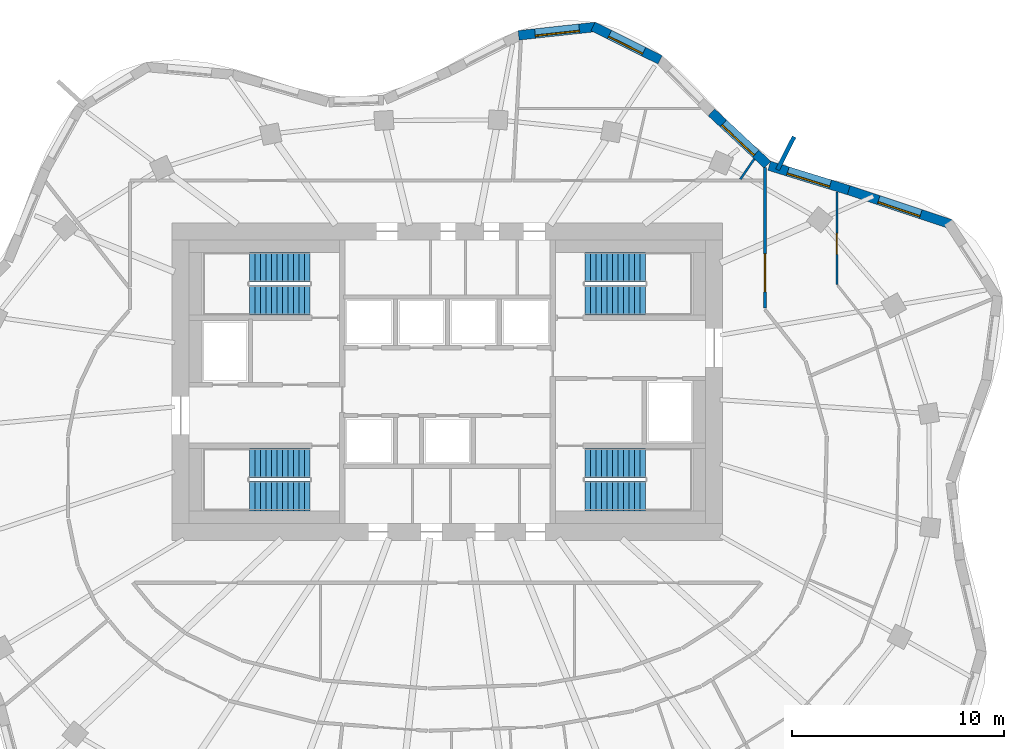
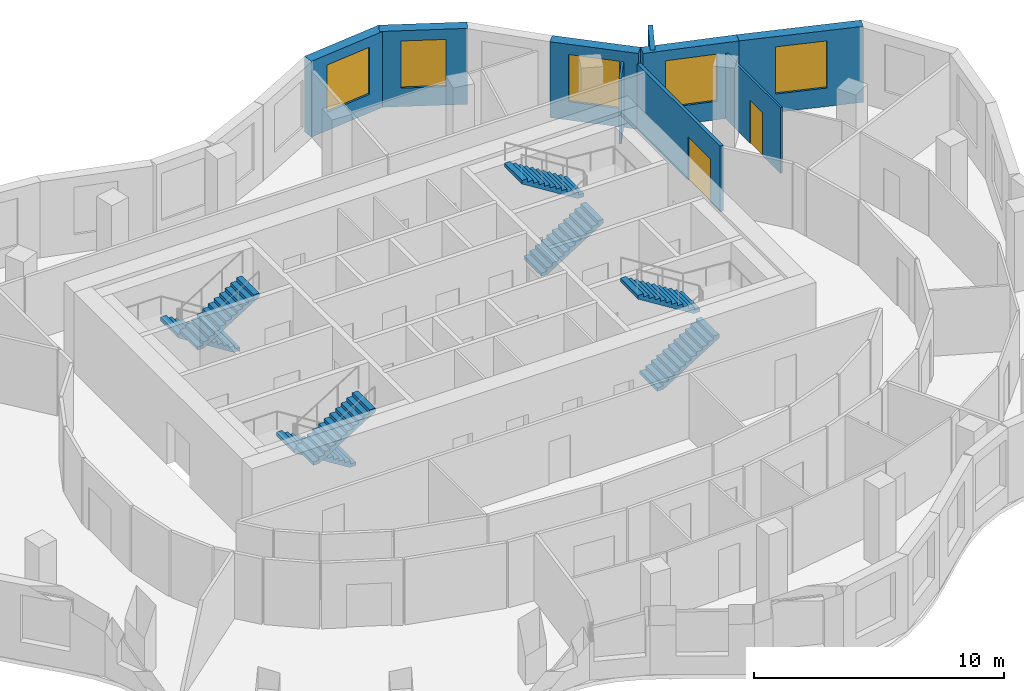
# One storey, part 8 of 9: 9 walls, 8 stair flights, 5 windows, 2 doors, 7 openings, 4 elements without a shape of their own.
"""IFC4 building model written with IfcOpenShell, lengths in metres."""

from ifc_helpers import new_model, si_unit, direction, frame, frame_2d, origin, place, context, subcontext, project, spatial, polyline, rectangle, outline, extrude, material, layer, layer_set, type_object, element, fill, aggregate, save


model = new_model("IFC4")

# Units and contexts
model_context = context("Model", 3, precision=1e-05, world=origin(), true_north=direction((0.0, 1.0)))
body_context = subcontext(model_context, "Body", "Model", "MODEL_VIEW")
ifc_project = project(units=[si_unit("LENGTHUNIT", "METRE"), si_unit("AREAUNIT", "SQUARE_METRE"), si_unit("VOLUMEUNIT", "CUBIC_METRE"), si_unit("PLANEANGLEUNIT", "RADIAN"), si_unit("MASSUNIT", "GRAM", prefix="KILO")], contexts=[model_context])

# Site, building, storey
site_placement = place(None, origin())
site = spatial("IfcSite", under=ifc_project, at=site_placement, CompositionType="ELEMENT")
building_placement = place(site_placement, origin())
building = spatial("IfcBuilding", under=site, at=building_placement, Name="Rubra Terraces Tower", CompositionType="ELEMENT")
storey_placement = place(building_placement, frame((0.0, 0.0, 288.300048828125)))
storey = spatial("IfcBuildingStorey", under=building, at=storey_placement, Name="L71", CompositionType="ELEMENT", Elevation=288.300048828125)

# Wall, opening, window
ifc_material_1 = material(Name="Brick masonry red-brown", Category="masonry")
ifc_layer_1 = layer(ifc_material_1, 0.449951171875)
ifc_layer_set_1 = layer_set([ifc_layer_1], Name="Brick masonry red-brown")
wall_type_1 = type_object("IfcWallType", Name="Brick facade wall 450", PredefinedType="SOLIDWALL", material=ifc_layer_set_1)
wall_1_placement = place(storey_placement, frame((23.769775390625, 11.93798828125, 0.0), z_axis=(0.0, 0.0, 1.0), x_axis=(-0.948673679101, 0.316256621402, 0.0)))
wall_1 = element("IfcWall", 1, at=wall_1_placement, inside=storey, type_object=wall_type_1, Name="Facade wall L71 bay 4", PredefinedType="SOLIDWALL", context=body_context, shape_type="SweptSolid", body=[
    extrude(rectangle(XDim=5.076416015625, YDim=0.449951171875, at=frame_2d((2.5380859375, 0.0))), origin(), (0.0, 0.0, 1.0), 3.699951171875),
])
opening_1_placement = place(wall_1_placement, frame((1.48828125, 0.0, 0.89990234375)))
opening_1 = element("IfcOpeningElement", 2, at=opening_1_placement, cuts=wall_1, Name="Opening W1B", PredefinedType="OPENING", context=body_context, shape_type="SweptSolid", body=[
    extrude(rectangle(XDim=2.10009765625, YDim=2.300048828125, at=frame_2d((1.050048828125, 1.14990234375))), frame((0.0, 0.23486328125, 0.0), z_axis=(0.0, -1.0, 0.0), x_axis=(1.0, 0.0, 0.0)), (0.0, 0.0, 1.0), 0.469970703125),
])
ifc_material_2 = material(Name="Clear glass in aluminium frame", Category="aluminium")
window_type_1 = type_object("IfcWindowType", Name="Fixed deep-set window tall storey 2100 x 2300", PartitioningType="SINGLE_PANEL", PredefinedType="WINDOW", material=ifc_material_2)
window_1_placement = place(opening_1_placement, origin())
window_1 = element("IfcWindow", 3, at=window_1_placement, inside=storey, type_object=window_type_1, Name="Window L71 bay 4", OverallHeight=2.300048828125, OverallWidth=2.10009765625, PartitioningType="SINGLE_PANEL", PredefinedType="WINDOW", context=body_context, shape_type="SweptSolid", body=[
    extrude(rectangle(XDim=2.10009765625, YDim=2.300048828125, at=frame_2d((1.050048828125, 1.14990234375))), frame((0.0, 0.135009765625, 0.0), z_axis=(0.0, -1.0, 0.0), x_axis=(1.0, 0.0, 0.0)), (0.0, 0.0, 1.0), 0.06005859375),
])
fill(opening_1, window_1)

wall_2_placement = place(storey_placement, frame((18.95751953125, 13.542236328125, 0.0), z_axis=(0.0, 0.0, 1.0), x_axis=(-0.955792437529, 0.294042201668, 0.0)))
wall_2 = element("IfcWall", 4, at=wall_2_placement, inside=storey, type_object=wall_type_1, Name="Facade wall L71 bay 5", PredefinedType="SOLIDWALL", context=body_context, shape_type="SweptSolid", body=[
    extrude(rectangle(XDim=3.9306640625, YDim=0.449951171875, at=frame_2d((1.96533203125, 0.0))), origin(), (0.0, 0.0, 1.0), 3.699951171875),
])
opening_2_placement = place(wall_2_placement, frame((0.915283203125, 0.0, 0.89990234375)))
opening_2 = element("IfcOpeningElement", 5, at=opening_2_placement, cuts=wall_2, Name="Opening W1B", PredefinedType="OPENING", context=body_context, shape_type="SweptSolid", body=[
    extrude(rectangle(XDim=2.10009765625, YDim=2.300048828125, at=frame_2d((1.050048828125, 1.14990234375))), frame((0.0, 0.23486328125, 0.0), z_axis=(0.0, -1.0, 0.0), x_axis=(1.0, 0.0, 0.0)), (0.0, 0.0, 1.0), 0.469970703125),
])
window_2_placement = place(opening_2_placement, origin())
window_2 = element("IfcWindow", 6, at=window_2_placement, inside=storey, type_object=window_type_1, Name="Window L71 bay 5", OverallHeight=2.300048828125, OverallWidth=2.10009765625, PartitioningType="SINGLE_PANEL", PredefinedType="WINDOW", context=body_context, shape_type="SweptSolid", body=[
    extrude(rectangle(XDim=2.10009765625, YDim=2.300048828125, at=frame_2d((1.050048828125, 1.14990234375))), frame((0.0, 0.135009765625, 0.0), z_axis=(0.0, -1.0, 0.0), x_axis=(1.0, 0.0, 0.0)), (0.0, 0.0, 1.0), 0.06005859375),
])
fill(opening_2, window_2)

wall_3_placement = place(storey_placement, frame((15.120849609375, 14.744873046875, 0.0), z_axis=(0.0, 0.0, 1.0), x_axis=(-0.730618259172, 0.68278617397, 0.0)))
wall_3 = element("IfcWall", 7, at=wall_3_placement, inside=storey, type_object=wall_type_1, Name="Facade wall L71 bay 6", PredefinedType="SOLIDWALL", context=body_context, shape_type="SweptSolid", body=[
    extrude(rectangle(XDim=3.6240234375, YDim=0.449951171875, at=frame_2d((1.81201171875, 0.0))), origin(), (0.0, 0.0, 1.0), 3.699951171875),
])
opening_3_placement = place(wall_3_placement, frame((0.76220703125, 0.0, 0.89990234375)))
opening_3 = element("IfcOpeningElement", 8, at=opening_3_placement, cuts=wall_3, Name="Opening W1B", PredefinedType="OPENING", context=body_context, shape_type="SweptSolid", body=[
    extrude(rectangle(XDim=2.10009765625, YDim=2.300048828125, at=frame_2d((1.050048828125, 1.14990234375))), frame((0.0, 0.23486328125, 0.0), z_axis=(0.0, -1.0, 0.0), x_axis=(1.0, 0.0, 0.0)), (0.0, 0.0, 1.0), 0.469970703125),
])
window_3_placement = place(opening_3_placement, origin())
window_3 = element("IfcWindow", 9, at=window_3_placement, inside=storey, type_object=window_type_1, Name="Window L71 bay 6", OverallHeight=2.300048828125, OverallWidth=2.10009765625, PartitioningType="SINGLE_PANEL", PredefinedType="WINDOW", context=body_context, shape_type="SweptSolid", body=[
    extrude(rectangle(XDim=2.10009765625, YDim=2.300048828125, at=frame_2d((1.050048828125, 1.14990234375))), frame((0.0, 0.135009765625, 0.0), z_axis=(0.0, -1.0, 0.0), x_axis=(1.0, 0.0, 0.0)), (0.0, 0.0, 1.0), 0.06005859375),
])
fill(opening_3, window_3)

wall_4_placement = place(storey_placement, frame((10.041748046875, 19.70361328125, 0.0), z_axis=(0.0, 0.0, 1.0), x_axis=(-0.895268695224, 0.445526613517, 0.0)))
wall_4 = element("IfcWall", 10, at=wall_4_placement, inside=storey, type_object=wall_type_1, Name="Facade wall L71 bay 8", PredefinedType="SOLIDWALL", context=body_context, shape_type="SweptSolid", body=[
    extrude(rectangle(XDim=3.532958984375, YDim=0.449951171875, at=frame_2d((1.7666015625, 0.0))), origin(), (0.0, 0.0, 1.0), 3.699951171875),
])
opening_4_placement = place(wall_4_placement, frame((0.866455078125, 0.0, 0.89990234375)))
opening_4 = element("IfcOpeningElement", 11, at=opening_4_placement, cuts=wall_4, Name="Opening W6B", PredefinedType="OPENING", context=body_context, shape_type="SweptSolid", body=[
    extrude(rectangle(XDim=1.800048828125, YDim=2.300048828125, at=frame_2d((0.89990234375, 1.14990234375))), frame((0.0, 0.23486328125, 0.0), z_axis=(0.0, -1.0, 0.0), x_axis=(1.0, 0.0, 0.0)), (0.0, 0.0, 1.0), 0.469970703125),
])
window_type_2 = type_object("IfcWindowType", Name="Fixed deep-set window at wind fin tall storey 1800 x 2300", PartitioningType="SINGLE_PANEL", PredefinedType="WINDOW", material=ifc_material_2)
window_4_placement = place(opening_4_placement, origin())
window_4 = element("IfcWindow", 12, at=window_4_placement, inside=storey, type_object=window_type_2, Name="Window L71 bay 8", OverallHeight=2.300048828125, OverallWidth=1.800048828125, PartitioningType="SINGLE_PANEL", PredefinedType="WINDOW", context=body_context, shape_type="SweptSolid", body=[
    extrude(rectangle(XDim=1.800048828125, YDim=2.300048828125, at=frame_2d((0.89990234375, 1.14990234375))), frame((0.0, 0.135009765625, 0.0), z_axis=(0.0, -1.0, 0.0), x_axis=(1.0, 0.0, 0.0)), (0.0, 0.0, 1.0), 0.06005859375),
])
fill(opening_4, window_4)

wall_5_placement = place(storey_placement, frame((7.00341796875, 21.25537109375, 0.0), z_axis=(0.0, 0.0, 1.0), x_axis=(-0.99407653264, -0.108682322638, 0.0)))
wall_5 = element("IfcWall", 13, at=wall_5_placement, inside=storey, type_object=wall_type_1, Name="Facade wall L71 bay 9", PredefinedType="SOLIDWALL", context=body_context, shape_type="SweptSolid", body=[
    extrude(rectangle(XDim=3.66162109375, YDim=0.449951171875, at=frame_2d((1.830810546875, 0.0))), origin(), (0.0, 0.0, 1.0), 3.699951171875),
])
opening_5_placement = place(wall_5_placement, frame((0.78076171875, 0.0, 0.89990234375)))
opening_5 = element("IfcOpeningElement", 14, at=opening_5_placement, cuts=wall_5, Name="Opening W1B", PredefinedType="OPENING", context=body_context, shape_type="SweptSolid", body=[
    extrude(rectangle(XDim=2.10009765625, YDim=2.300048828125, at=frame_2d((1.050048828125, 1.14990234375))), frame((0.0, 0.23486328125, 0.0), z_axis=(0.0, -1.0, 0.0), x_axis=(1.0, 0.0, 0.0)), (0.0, 0.0, 1.0), 0.469970703125),
])
window_5_placement = place(opening_5_placement, origin())
window_5 = element("IfcWindow", 15, at=window_5_placement, inside=storey, type_object=window_type_1, Name="Window L71 bay 9", OverallHeight=2.300048828125, OverallWidth=2.10009765625, PartitioningType="SINGLE_PANEL", PredefinedType="WINDOW", context=body_context, shape_type="SweptSolid", body=[
    extrude(rectangle(XDim=2.10009765625, YDim=2.300048828125, at=frame_2d((1.050048828125, 1.14990234375))), frame((0.0, 0.135009765625, 0.0), z_axis=(0.0, -1.0, 0.0), x_axis=(1.0, 0.0, 0.0)), (0.0, 0.0, 1.0), 0.06005859375),
])
fill(opening_5, window_5)

# Wall
ifc_layer_2 = layer(ifc_material_1, 0.199951171875)
ifc_layer_set_2 = layer_set([ifc_layer_2], Name="Brick masonry red-brown")
wall_type_2 = type_object("IfcWallType", Name="Brick wind fin 200", PredefinedType="SOLIDWALL", material=ifc_layer_set_2)
wall_6_placement = place(storey_placement, frame((15.5869140625, 14.507080078125, 0.0), z_axis=(0.0, 0.0, 1.0), x_axis=(0.452117231361, 0.89195852432, 0.0)))
element("IfcWall", 16, at=wall_6_placement, inside=storey, type_object=wall_type_2, Name="Wind fin L71 3", PredefinedType="SOLIDWALL", context=body_context, shape_type="SweptSolid", body=[
    extrude(rectangle(XDim=1.75, YDim=0.199951171875, at=frame_2d((0.875, 0.0))), origin(), (0.0, 0.0, 1.0), 3.699951171875),
])

# Wall, opening, door
ifc_material_3 = material(Name="Plasterboard on steel stud, mineral wool infill", Category="steel")
ifc_layer_3 = layer(ifc_material_3, 0.14990234375)
ifc_layer_set_3 = layer_set([ifc_layer_3], Name="Plasterboard on steel stud, mineral wool infill")
wall_type_3 = type_object("IfcWallType", Name="CORRIDOR PARTITION 150", PredefinedType="PARTITIONING", material=ifc_layer_set_3)
wall_7_placement = place(storey_placement, frame((15.0, 7.979248046875, 0.0), z_axis=(0.0, 0.0, 1.0), x_axis=(0.0, 1.0, 0.0)))
wall_7 = element("IfcWall", 17, at=wall_7_placement, inside=storey, type_object=wall_type_3, Name="PARTITION", PredefinedType="PARTITIONING", context=body_context, shape_type="SweptSolid", body=[
    extrude(rectangle(XDim=6.626220703125, YDim=0.14990234375, at=frame_2d((3.31298828125, 0.0))), origin(), (0.0, 0.0, 1.0), 3.197998046875),
])
opening_6_placement = place(wall_7_placement, frame((0.759033203125, 0.0, 0.0)))
opening_6 = element("IfcOpeningElement", 18, at=opening_6_placement, cuts=wall_7, Name="Opening 71-111", PredefinedType="OPENING", context=body_context, shape_type="SweptSolid", body=[
    extrude(rectangle(XDim=1.800048828125, YDim=2.10009765625, at=frame_2d((0.89990234375, 1.050048828125))), frame((0.0, 0.0849609375, 0.0), z_axis=(0.0, -1.0, 0.0), x_axis=(1.0, 0.0, 0.0)), (0.0, 0.0, 1.0), 0.169921875),
])
ifc_material_4 = material(Name="Painted timber door leaf, double", Category="wood")
door_type_1 = type_object("IfcDoorType", Name="ROOM DOUBLE DOOR 1800 X 2100", OperationType="DOUBLE_DOOR_SINGLE_SWING", PredefinedType="DOOR", material=ifc_material_4)
door_1_placement = place(opening_6_placement, origin())
door_1 = element("IfcDoor", 19, at=door_1_placement, inside=storey, type_object=door_type_1, Name="DOOR 71-111", OperationType="DOUBLE_DOOR_SINGLE_SWING", OverallHeight=2.10009765625, OverallWidth=1.800048828125, PredefinedType="DOOR", context=body_context, shape_type="SweptSolid", body=[
    extrude(rectangle(XDim=1.800048828125, YDim=2.10009765625, at=frame_2d((0.89990234375, 1.050048828125))), frame((0.0, 0.02490234375, 0.0), z_axis=(0.0, -1.0, 0.0), x_axis=(1.0, 0.0, 0.0)), (0.0, 0.0, 1.0), 0.050048828125),
])
fill(opening_6, door_1)

ifc_material_5 = material(Name="Plasterboard on steel stud", Category="steel")
ifc_layer_4 = layer(ifc_material_5, 0.10009765625)
ifc_layer_set_4 = layer_set([ifc_layer_4], Name="Plasterboard on steel stud")
wall_type_4 = type_object("IfcWallType", Name="ROOM PARTITION 100", PredefinedType="PARTITIONING", material=ifc_layer_set_4)
wall_8_placement = place(storey_placement, frame((18.39990234375, 13.45751953125, 0.0), z_axis=(0.0, 0.0, 1.0), x_axis=(0.0, -1.0, 0.0)))
wall_8 = element("IfcWall", 20, at=wall_8_placement, inside=storey, type_object=wall_type_4, Name="PARTITION", PredefinedType="PARTITIONING", context=body_context, shape_type="SweptSolid", body=[
    extrude(rectangle(XDim=4.371826171875, YDim=0.10009765625, at=frame_2d((2.18603515625, 0.0))), origin(), (0.0, 0.0, 1.0), 3.197998046875),
])
opening_7_placement = place(wall_8_placement, frame((1.949951171875, 0.0, 0.0)))
opening_7 = element("IfcOpeningElement", 21, at=opening_7_placement, cuts=wall_8, Name="Opening 71-119", PredefinedType="OPENING", context=body_context, shape_type="SweptSolid", body=[
    extrude(rectangle(XDim=1.0, YDim=2.10009765625, at=frame_2d((0.5, 1.050048828125))), frame((0.0, 0.06005859375, 0.0), z_axis=(0.0, -1.0, 0.0), x_axis=(1.0, 0.0, 0.0)), (0.0, 0.0, 1.0), 0.1201171875),
])
ifc_material_6 = material(Name="Painted timber door leaf", Category="wood")
door_type_2 = type_object("IfcDoorType", Name="ROOM DOOR 1000 X 2100", OperationType="SINGLE_SWING_LEFT", PredefinedType="DOOR", material=ifc_material_6)
door_2_placement = place(opening_7_placement, origin())
door_2 = element("IfcDoor", 22, at=door_2_placement, inside=storey, type_object=door_type_2, Name="DOOR 71-119", OperationType="SINGLE_SWING_LEFT", OverallHeight=2.10009765625, OverallWidth=1.0, PredefinedType="DOOR", context=body_context, shape_type="SweptSolid", body=[
    extrude(rectangle(XDim=1.0, YDim=2.10009765625, at=frame_2d((0.5, 1.050048828125))), frame((0.0, 0.02490234375, 0.0), z_axis=(0.0, -1.0, 0.0), x_axis=(1.0, 0.0, 0.0)), (0.0, 0.0, 1.0), 0.050048828125),
])
fill(opening_7, door_2)

# Wall
wall_9_placement = place(storey_placement, frame((13.836669921875, 14.06201171875, 0.0), z_axis=(0.0, 0.0, 1.0), x_axis=(0.565495744886, 0.824751212497, 0.0)))
element("IfcWall", 23, at=wall_9_placement, inside=storey, type_object=wall_type_4, Name="PARTITION", PredefinedType="PARTITIONING", context=body_context, shape_type="SweptSolid", body=[
    extrude(rectangle(XDim=1.163818359375, YDim=0.10009765625, at=frame_2d((0.58203125, 0.0))), origin(), (0.0, 0.0, 1.0), 3.197998046875),
])

# Stair, stair flights
ifc_material_7 = material(Name="Concrete C40", Category="concrete")
stair_type = type_object("IfcStairType", Name="Core stair 1400", PredefinedType="HALF_TURN_STAIR", material=ifc_material_7)
stair_1_placement = place(storey_placement, origin())
stair_1 = element("IfcStair", 24, at=stair_1_placement, inside=storey, type_object=stair_type, Name="L71 Exit stair S1", PredefinedType="HALF_TURN_STAIR")
stair_flight_type = type_object("IfcStairFlightType", Name="Core stair flight 1400", PredefinedType="STRAIGHT", material=ifc_material_7)
stair_flight_1_placement = place(storey_placement, frame((-6.5, 0.64990234375, 0.0), z_axis=(0.0, 0.0, 1.0), x_axis=(-1.0, 0.0, 0.0)))
stair_flight_1 = element("IfcStairFlight", 25, at=stair_flight_1_placement, type_object=stair_flight_type, Name="S1 flight 1", NumberOfRisers=12, NumberOfTreads=11, PredefinedType="STRAIGHT", RiserHeight=0.1625, TreadLength=0.26, context=body_context, shape_type="SweptSolid", body=[
    extrude(outline(polyline([(0.0, 0.0), (0.0, 0.16259765625), (0.260009765625, 0.16259765625), (0.260009765625, 0.324951171875), (0.52001953125, 0.324951171875), (0.52001953125, 0.487548828125), (0.780029296875, 0.487548828125), (0.780029296875, 0.64990234375), (1.0400390625, 0.64990234375), (1.0400390625, 0.8125), (1.300048828125, 0.8125), (1.300048828125, 0.97509765625), (1.56005859375, 0.97509765625), (1.56005859375, 1.137451171875), (1.820068359375, 1.137451171875), (1.820068359375, 1.300048828125), (2.080078125, 1.300048828125), (2.080078125, 1.46240234375), (2.340087890625, 1.46240234375), (2.340087890625, 1.625), (2.60009765625, 1.625), (2.60009765625, 1.78759765625), (2.860107421875, 1.78759765625), (2.860107421875, 1.949951171875), (2.860107421875, 1.61083984375), (0.28271484375, 0.0), (0.0, 0.0)])), frame((0.0, 0.699951171875, 0.0), z_axis=(0.0, -1.0, 0.0), x_axis=(1.0, 0.0, 0.0)), (0.0, 0.0, 1.0), 1.39990234375),
])
stair_flight_2_placement = place(storey_placement, frame((-9.360107421875, -0.89990234375, 1.949951171875), z_axis=(0.0, 0.0, 1.0), x_axis=(1.0, 0.0, 0.0)))
stair_flight_2 = element("IfcStairFlight", 26, at=stair_flight_2_placement, type_object=stair_flight_type, Name="S1 flight 2", NumberOfRisers=12, NumberOfTreads=11, PredefinedType="STRAIGHT", RiserHeight=0.1625, TreadLength=0.26, context=body_context, shape_type="SweptSolid", body=[
    extrude(outline(polyline([(0.0, 0.0), (0.0, 0.16259765625), (0.260009765625, 0.16259765625), (0.260009765625, 0.324951171875), (0.52001953125, 0.324951171875), (0.52001953125, 0.487548828125), (0.780029296875, 0.487548828125), (0.780029296875, 0.64990234375), (1.0400390625, 0.64990234375), (1.0400390625, 0.8125), (1.300048828125, 0.8125), (1.300048828125, 0.97509765625), (1.56005859375, 0.97509765625), (1.56005859375, 1.137451171875), (1.820068359375, 1.137451171875), (1.820068359375, 1.300048828125), (2.080078125, 1.300048828125), (2.080078125, 1.46240234375), (2.340087890625, 1.46240234375), (2.340087890625, 1.625), (2.60009765625, 1.625), (2.60009765625, 1.78759765625), (2.860107421875, 1.78759765625), (2.860107421875, 1.949951171875), (2.860107421875, 1.61083984375), (0.28271484375, 0.0), (0.0, 0.0)])), frame((0.0, 0.699951171875, 0.0), z_axis=(0.0, -1.0, 0.0), x_axis=(1.0, 0.0, 0.0)), (0.0, 0.0, 1.0), 1.39990234375),
])
aggregate(stair_1, [stair_flight_1, stair_flight_2])

stair_2_placement = place(storey_placement, origin())
stair_2 = element("IfcStair", 27, at=stair_2_placement, inside=storey, type_object=stair_type, Name="L71 Exit stair S2", PredefinedType="HALF_TURN_STAIR")
stair_flight_3_placement = place(storey_placement, frame((-6.5, 9.89990234375, 0.0), z_axis=(0.0, 0.0, 1.0), x_axis=(-1.0, 0.0, 0.0)))
stair_flight_3 = element("IfcStairFlight", 28, at=stair_flight_3_placement, type_object=stair_flight_type, Name="S2 flight 1", NumberOfRisers=12, NumberOfTreads=11, PredefinedType="STRAIGHT", RiserHeight=0.1625, TreadLength=0.26, context=body_context, shape_type="SweptSolid", body=[
    extrude(outline(polyline([(0.0, 0.0), (0.0, 0.16259765625), (0.260009765625, 0.16259765625), (0.260009765625, 0.324951171875), (0.52001953125, 0.324951171875), (0.52001953125, 0.487548828125), (0.780029296875, 0.487548828125), (0.780029296875, 0.64990234375), (1.0400390625, 0.64990234375), (1.0400390625, 0.8125), (1.300048828125, 0.8125), (1.300048828125, 0.97509765625), (1.56005859375, 0.97509765625), (1.56005859375, 1.137451171875), (1.820068359375, 1.137451171875), (1.820068359375, 1.300048828125), (2.080078125, 1.300048828125), (2.080078125, 1.46240234375), (2.340087890625, 1.46240234375), (2.340087890625, 1.625), (2.60009765625, 1.625), (2.60009765625, 1.78759765625), (2.860107421875, 1.78759765625), (2.860107421875, 1.949951171875), (2.860107421875, 1.61083984375), (0.28271484375, 0.0), (0.0, 0.0)])), frame((0.0, 0.699951171875, 0.0), z_axis=(0.0, -1.0, 0.0), x_axis=(1.0, 0.0, 0.0)), (0.0, 0.0, 1.0), 1.39990234375),
])
stair_flight_4_placement = place(storey_placement, frame((-9.360107421875, 8.35009765625, 1.949951171875), z_axis=(0.0, 0.0, 1.0), x_axis=(1.0, 0.0, 0.0)))
stair_flight_4 = element("IfcStairFlight", 29, at=stair_flight_4_placement, type_object=stair_flight_type, Name="S2 flight 2", NumberOfRisers=12, NumberOfTreads=11, PredefinedType="STRAIGHT", RiserHeight=0.1625, TreadLength=0.26, context=body_context, shape_type="SweptSolid", body=[
    extrude(outline(polyline([(0.0, 0.0), (0.0, 0.16259765625), (0.260009765625, 0.16259765625), (0.260009765625, 0.324951171875), (0.52001953125, 0.324951171875), (0.52001953125, 0.487548828125), (0.780029296875, 0.487548828125), (0.780029296875, 0.64990234375), (1.0400390625, 0.64990234375), (1.0400390625, 0.8125), (1.300048828125, 0.8125), (1.300048828125, 0.97509765625), (1.56005859375, 0.97509765625), (1.56005859375, 1.137451171875), (1.820068359375, 1.137451171875), (1.820068359375, 1.300048828125), (2.080078125, 1.300048828125), (2.080078125, 1.46240234375), (2.340087890625, 1.46240234375), (2.340087890625, 1.625), (2.60009765625, 1.625), (2.60009765625, 1.78759765625), (2.860107421875, 1.78759765625), (2.860107421875, 1.949951171875), (2.860107421875, 1.61083984375), (0.28271484375, 0.0), (0.0, 0.0)])), frame((0.0, 0.699951171875, 0.0), z_axis=(0.0, -1.0, 0.0), x_axis=(1.0, 0.0, 0.0)), (0.0, 0.0, 1.0), 1.39990234375),
])
aggregate(stair_2, [stair_flight_3, stair_flight_4])

stair_3_placement = place(storey_placement, origin())
stair_3 = element("IfcStair", 30, at=stair_3_placement, inside=storey, type_object=stair_type, Name="L71 Exit stair S3", PredefinedType="HALF_TURN_STAIR")
stair_flight_5_placement = place(storey_placement, frame((6.5, 8.35009765625, 0.0), z_axis=(0.0, 0.0, 1.0), x_axis=(1.0, 0.0, 0.0)))
stair_flight_5 = element("IfcStairFlight", 31, at=stair_flight_5_placement, type_object=stair_flight_type, Name="S3 flight 1", NumberOfRisers=12, NumberOfTreads=11, PredefinedType="STRAIGHT", RiserHeight=0.1625, TreadLength=0.26, context=body_context, shape_type="SweptSolid", body=[
    extrude(outline(polyline([(0.0, 0.0), (0.0, 0.16259765625), (0.260009765625, 0.16259765625), (0.260009765625, 0.324951171875), (0.52001953125, 0.324951171875), (0.52001953125, 0.487548828125), (0.780029296875, 0.487548828125), (0.780029296875, 0.64990234375), (1.0400390625, 0.64990234375), (1.0400390625, 0.8125), (1.300048828125, 0.8125), (1.300048828125, 0.97509765625), (1.56005859375, 0.97509765625), (1.56005859375, 1.137451171875), (1.820068359375, 1.137451171875), (1.820068359375, 1.300048828125), (2.080078125, 1.300048828125), (2.080078125, 1.46240234375), (2.340087890625, 1.46240234375), (2.340087890625, 1.625), (2.60009765625, 1.625), (2.60009765625, 1.78759765625), (2.860107421875, 1.78759765625), (2.860107421875, 1.949951171875), (2.860107421875, 1.61083984375), (0.28271484375, 0.0), (0.0, 0.0)])), frame((0.0, 0.699951171875, 0.0), z_axis=(0.0, -1.0, 0.0), x_axis=(1.0, 0.0, 0.0)), (0.0, 0.0, 1.0), 1.39990234375),
])
stair_flight_6_placement = place(storey_placement, frame((9.360107421875, 9.89990234375, 1.949951171875), z_axis=(0.0, 0.0, 1.0), x_axis=(-1.0, 0.0, 0.0)))
stair_flight_6 = element("IfcStairFlight", 32, at=stair_flight_6_placement, type_object=stair_flight_type, Name="S3 flight 2", NumberOfRisers=12, NumberOfTreads=11, PredefinedType="STRAIGHT", RiserHeight=0.1625, TreadLength=0.26, context=body_context, shape_type="SweptSolid", body=[
    extrude(outline(polyline([(0.0, 0.0), (0.0, 0.16259765625), (0.260009765625, 0.16259765625), (0.260009765625, 0.324951171875), (0.52001953125, 0.324951171875), (0.52001953125, 0.487548828125), (0.780029296875, 0.487548828125), (0.780029296875, 0.64990234375), (1.0400390625, 0.64990234375), (1.0400390625, 0.8125), (1.300048828125, 0.8125), (1.300048828125, 0.97509765625), (1.56005859375, 0.97509765625), (1.56005859375, 1.137451171875), (1.820068359375, 1.137451171875), (1.820068359375, 1.300048828125), (2.080078125, 1.300048828125), (2.080078125, 1.46240234375), (2.340087890625, 1.46240234375), (2.340087890625, 1.625), (2.60009765625, 1.625), (2.60009765625, 1.78759765625), (2.860107421875, 1.78759765625), (2.860107421875, 1.949951171875), (2.860107421875, 1.61083984375), (0.28271484375, 0.0), (0.0, 0.0)])), frame((0.0, 0.699951171875, 0.0), z_axis=(0.0, -1.0, 0.0), x_axis=(1.0, 0.0, 0.0)), (0.0, 0.0, 1.0), 1.39990234375),
])
aggregate(stair_3, [stair_flight_5, stair_flight_6])

stair_4_placement = place(storey_placement, origin())
stair_4 = element("IfcStair", 33, at=stair_4_placement, inside=storey, type_object=stair_type, Name="L71 Exit stair S4", PredefinedType="HALF_TURN_STAIR")
stair_flight_7_placement = place(storey_placement, frame((6.5, -0.89990234375, 0.0), z_axis=(0.0, 0.0, 1.0), x_axis=(1.0, 0.0, 0.0)))
stair_flight_7 = element("IfcStairFlight", 34, at=stair_flight_7_placement, type_object=stair_flight_type, Name="S4 flight 1", NumberOfRisers=12, NumberOfTreads=11, PredefinedType="STRAIGHT", RiserHeight=0.1625, TreadLength=0.26, context=body_context, shape_type="SweptSolid", body=[
    extrude(outline(polyline([(0.0, 0.0), (0.0, 0.16259765625), (0.260009765625, 0.16259765625), (0.260009765625, 0.324951171875), (0.52001953125, 0.324951171875), (0.52001953125, 0.487548828125), (0.780029296875, 0.487548828125), (0.780029296875, 0.64990234375), (1.0400390625, 0.64990234375), (1.0400390625, 0.8125), (1.300048828125, 0.8125), (1.300048828125, 0.97509765625), (1.56005859375, 0.97509765625), (1.56005859375, 1.137451171875), (1.820068359375, 1.137451171875), (1.820068359375, 1.300048828125), (2.080078125, 1.300048828125), (2.080078125, 1.46240234375), (2.340087890625, 1.46240234375), (2.340087890625, 1.625), (2.60009765625, 1.625), (2.60009765625, 1.78759765625), (2.860107421875, 1.78759765625), (2.860107421875, 1.949951171875), (2.860107421875, 1.61083984375), (0.28271484375, 0.0), (0.0, 0.0)])), frame((0.0, 0.699951171875, 0.0), z_axis=(0.0, -1.0, 0.0), x_axis=(1.0, 0.0, 0.0)), (0.0, 0.0, 1.0), 1.39990234375),
])
stair_flight_8_placement = place(storey_placement, frame((9.360107421875, 0.64990234375, 1.949951171875), z_axis=(0.0, 0.0, 1.0), x_axis=(-1.0, 0.0, 0.0)))
stair_flight_8 = element("IfcStairFlight", 35, at=stair_flight_8_placement, type_object=stair_flight_type, Name="S4 flight 2", NumberOfRisers=12, NumberOfTreads=11, PredefinedType="STRAIGHT", RiserHeight=0.1625, TreadLength=0.26, context=body_context, shape_type="SweptSolid", body=[
    extrude(outline(polyline([(0.0, 0.0), (0.0, 0.16259765625), (0.260009765625, 0.16259765625), (0.260009765625, 0.324951171875), (0.52001953125, 0.324951171875), (0.52001953125, 0.487548828125), (0.780029296875, 0.487548828125), (0.780029296875, 0.64990234375), (1.0400390625, 0.64990234375), (1.0400390625, 0.8125), (1.300048828125, 0.8125), (1.300048828125, 0.97509765625), (1.56005859375, 0.97509765625), (1.56005859375, 1.137451171875), (1.820068359375, 1.137451171875), (1.820068359375, 1.300048828125), (2.080078125, 1.300048828125), (2.080078125, 1.46240234375), (2.340087890625, 1.46240234375), (2.340087890625, 1.625), (2.60009765625, 1.625), (2.60009765625, 1.78759765625), (2.860107421875, 1.78759765625), (2.860107421875, 1.949951171875), (2.860107421875, 1.61083984375), (0.28271484375, 0.0), (0.0, 0.0)])), frame((0.0, 0.699951171875, 0.0), z_axis=(0.0, -1.0, 0.0), x_axis=(1.0, 0.0, 0.0)), (0.0, 0.0, 1.0), 1.39990234375),
])
aggregate(stair_4, [stair_flight_7, stair_flight_8])

save(model, "model.ifc")
